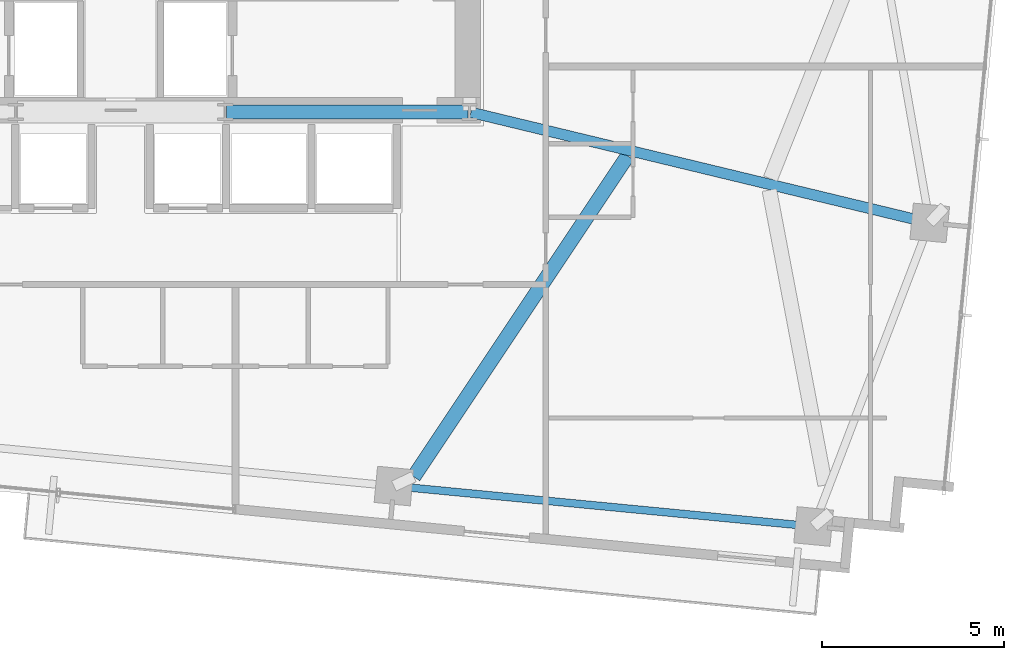
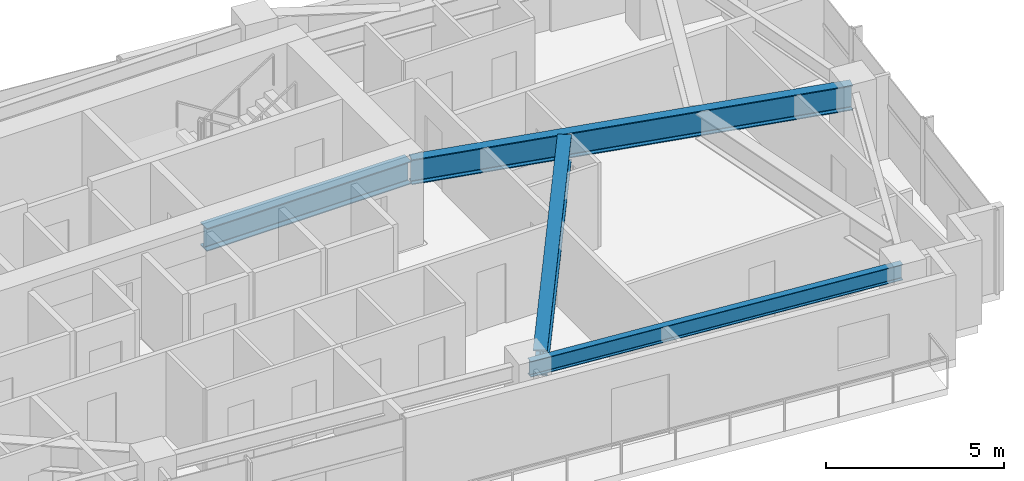
# One storey, part 10 of 20: 4 beams.
"""IFC4 building model written with IfcOpenShell, lengths in metres."""

from ifc_helpers import new_model, si_unit, direction, frame, origin, origin_2d, place, context, subcontext, project, spatial, i_section, extrude, source, transform, mapped, material, material_profile, profile_set, type_object, type_shapes, element, save


model = new_model("IFC4")

# Units and contexts
model_context = context("Model", 3, precision=1e-05, world=origin(), true_north=direction((0.0, 1.0)))
body_context = subcontext(model_context, "Body", "Model", "MODEL_VIEW")
ifc_project = project(units=[si_unit("LENGTHUNIT", "METRE"), si_unit("AREAUNIT", "SQUARE_METRE"), si_unit("VOLUMEUNIT", "CUBIC_METRE"), si_unit("PLANEANGLEUNIT", "RADIAN"), si_unit("MASSUNIT", "GRAM", prefix="KILO")], contexts=[model_context])

# Site, building, storey
site_placement = place(None, origin())
site = spatial("IfcSite", under=ifc_project, at=site_placement, CompositionType="ELEMENT")
building_placement = place(site_placement, origin())
building = spatial("IfcBuilding", under=site, at=building_placement, Name="Astriad Promenade Condominiums", CompositionType="ELEMENT")
storey_placement = place(building_placement, frame((0.0, 0.0, 159.800048828125)))
storey = spatial("IfcBuildingStorey", under=building, at=storey_placement, Name="L46", CompositionType="ELEMENT", Elevation=159.800048828125)

# Beams
ifc_material = material(Name="Steel ASTM A992 Grade 50", Category="steel")
ifc_material_profile_1 = material_profile(ifc_material, i_section(OverallWidth=0.3837890625, OverallDepth=0.785888671875, WebThickness=0.019775390625, FlangeThickness=0.033447265625, FilletRadius=0.021484375, at=origin_2d()), Name="W30X211")
ifc_profile_set_1 = profile_set([ifc_material_profile_1], Name="Steel ASTM A992 Grade 50")
beam_type_1 = type_object("IfcBeamType", Name="STEEL FLOOR GIRDER W30X211", PredefinedType="BEAM", material=ifc_profile_set_1)
shared_shape_1 = source(origin(), body_context, "Body", "SweptSolid", [
    extrude(i_section(OverallWidth=0.3837890625, OverallDepth=0.785888671875, WebThickness=0.019775390625, FlangeThickness=0.033447265625, FilletRadius=0.021484375, at=origin_2d()), origin(), (0.0, 0.0, 1.0), 6.64013671875),
])
type_shapes(beam_type_1, [shared_shape_1])
beam_1_placement = place(storey_placement, frame((38.919921875, 17.39990234375, 2.5068359375), z_axis=(1.0, 0.0, 0.0), x_axis=(0.0, 1.0, 0.0)))
element("IfcBeam", 1, at=beam_1_placement, inside=storey, type_object=beam_type_1, Name="Core Ring Beam CG-S3-L46", PredefinedType="BEAM", context=body_context, shape_type="MappedRepresentation", body=[
    mapped(shared_shape_1, transform((0.0, 0.0, 0.0), scale=1.0)),
])
ifc_material_profile_2 = material_profile(ifc_material, i_section(OverallWidth=0.210693359375, OverallDepth=0.53955078125, WebThickness=0.01171875, FlangeThickness=0.018798828125, FilletRadius=0.0166015625, at=origin_2d()), Name="W21X73")
ifc_profile_set_2 = profile_set([ifc_material_profile_2], Name="Steel ASTM A992 Grade 50")
beam_type_2 = type_object("IfcBeamType", Name="STEEL SPANDREL BEAM W21X73", PredefinedType="SPANDREL", material=ifc_profile_set_2)
shared_shape_2 = source(origin(), body_context, "Body", "SweptSolid", [
    extrude(i_section(OverallWidth=0.210693359375, OverallDepth=0.53955078125, WebThickness=0.01171875, FlangeThickness=0.018798828125, FilletRadius=0.0166015625, at=origin_2d()), origin(), (0.0, 0.0, 1.0), 11.519775390625),
])
type_shapes(beam_type_2, [shared_shape_2])
beam_2_placement = place(storey_placement, frame((43.560302734375, 7.10400390625, 2.63037109375), z_axis=(0.995397217389, -0.095835168988, 0.0), x_axis=(0.095835168988, 0.995397217389, 0.0)))
element("IfcBeam", 2, at=beam_2_placement, inside=storey, type_object=beam_type_2, Name="Perimeter Spandrel Beam SP-S4-L46", PredefinedType="SPANDREL", context=body_context, shape_type="MappedRepresentation", body=[
    mapped(shared_shape_2, transform((0.0, 0.0, 0.0), scale=1.0)),
])
ifc_material_profile_3 = material_profile(ifc_material, i_section(OverallWidth=0.2919921875, OverallDepth=0.85888671875, WebThickness=0.01708984375, FlangeThickness=0.031005859375, FilletRadius=0.02294921875, at=origin_2d()), Name="W33X169")
ifc_profile_set_3 = profile_set([ifc_material_profile_3], Name="Steel ASTM A992 Grade 50")
beam_type_3 = type_object("IfcBeamType", Name="STEEL PRIMARY GIRDER W33X169", PredefinedType="BEAM", material=ifc_profile_set_3)
shared_shape_3 = source(origin(), body_context, "Body", "SweptSolid", [
    extrude(i_section(OverallWidth=0.2919921875, OverallDepth=0.85888671875, WebThickness=0.01708984375, FlangeThickness=0.031005859375, FilletRadius=0.02294921875, at=origin_2d()), origin(), (0.0, 0.0, 1.0), 12.94482421875),
])
type_shapes(beam_type_3, [shared_shape_3])
beam_3_placement = place(storey_placement, frame((58.223388671875, 14.357666015625, 2.470458984375), z_axis=(-0.972164476402, 0.234299446908, 0.0), x_axis=(-0.234299446908, -0.972164476402, 0.0)))
element("IfcBeam", 3, at=beam_3_placement, inside=storey, type_object=beam_type_3, Name="Primary Floor Girder PG-EM-L46", PredefinedType="BEAM", context=body_context, shape_type="MappedRepresentation", body=[
    mapped(shared_shape_3, transform((0.0, 0.0, 0.0), scale=1.0)),
])
ifc_material_profile_4 = material_profile(ifc_material, i_section(OverallWidth=0.4013671875, OverallDepth=0.877197265625, WebThickness=0.022216796875, FlangeThickness=0.039794921875, FilletRadius=0.02294921875, at=origin_2d()), Name="W33X263")
ifc_profile_set_4 = profile_set([ifc_material_profile_4], Name="Steel ASTM A992 Grade 50")
beam_type_4 = type_object("IfcBeamType", Name="STEEL TRANSFER CARRIER GIRDER W33X263", PredefinedType="BEAM", material=ifc_profile_set_4)
shared_shape_4 = source(origin(), body_context, "Body", "SweptSolid", [
    extrude(i_section(OverallWidth=0.4013671875, OverallDepth=0.877197265625, WebThickness=0.022216796875, FlangeThickness=0.039794921875, FilletRadius=0.02294921875, at=origin_2d()), origin(), (0.0, 0.0, 1.0), 10.6103515625),
])
type_shapes(beam_type_4, [shared_shape_4])
beam_4_placement = place(storey_placement, frame((49.95166015625, 16.19140625, 2.46142578125), z_axis=(-0.554832937445, -0.831961784896, 0.0), x_axis=(0.831961784896, -0.554832937445, 0.0)))
element("IfcBeam", 4, at=beam_4_placement, inside=storey, type_object=beam_type_4, Name="Transfer Splice Carrier TRM-SP-PC04-L46", PredefinedType="BEAM", context=body_context, shape_type="MappedRepresentation", body=[
    mapped(shared_shape_4, transform((0.0, 0.0, 0.0), scale=1.0)),
])

save(model, "model.ifc")
